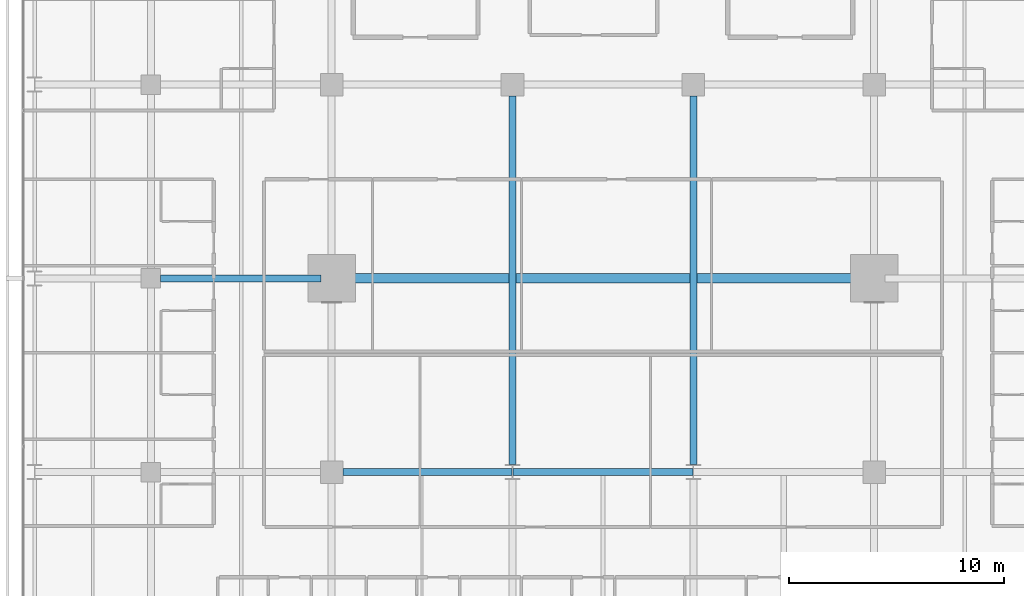
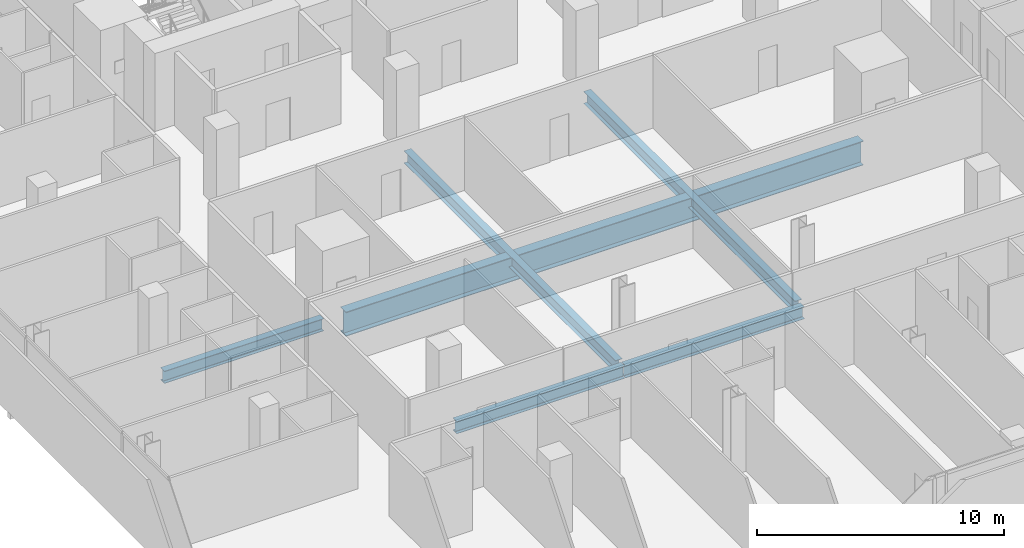
# One storey, part 13 of 40: 6 beams.
"""IFC4 building model written with IfcOpenShell, lengths in metres."""

from ifc_helpers import new_model, si_unit, direction, frame, origin, origin_2d, place, context, subcontext, project, spatial, i_section, extrude, material, material_profile, profile_set, type_object, element, save


model = new_model("IFC4")

# Units and contexts
model_context = context("Model", 3, precision=1e-05, world=origin(), true_north=direction((0.0, 1.0)))
body_context = subcontext(model_context, "Body", "Model", "MODEL_VIEW")
ifc_project = project(units=[si_unit("LENGTHUNIT", "METRE"), si_unit("AREAUNIT", "SQUARE_METRE"), si_unit("VOLUMEUNIT", "CUBIC_METRE"), si_unit("PLANEANGLEUNIT", "RADIAN"), si_unit("MASSUNIT", "GRAM", prefix="KILO")], contexts=[model_context])

# Site, building, storey
site_placement = place(None, origin())
site = spatial("IfcSite", under=ifc_project, at=site_placement, CompositionType="ELEMENT")
building_placement = place(site_placement, origin())
building = spatial("IfcBuilding", under=site, at=building_placement, Name="Maruvema Waterfront Hotel and Observation Tower", CompositionType="ELEMENT")
storey_placement = place(building_placement, frame((0.0, 0.0, 77.0)))
storey = spatial("IfcBuildingStorey", under=building, at=storey_placement, Name="L18", CompositionType="ELEMENT", Elevation=77.0)

# Beams
ifc_material_1 = material(Name="Steel ASTM A572 Grade 50", Category="steel")
ifc_material_profile_1 = material_profile(ifc_material_1, i_section(OverallWidth=0.323974609375, OverallDepth=0.611083984375, WebThickness=0.0126953125, FlangeThickness=0.01904296875, FilletRadius=0.01806640625, at=origin_2d()), Name="W610x155.0")
ifc_profile_set_1 = profile_set([ifc_material_profile_1], Name="Steel ASTM A572 Grade 50")
beam_type_1 = type_object("IfcBeamType", Name="Primary Floor Girder W610x155.0", PredefinedType="BEAM", material=ifc_profile_set_1)
beam_1_placement = place(storey_placement, frame((25.72509765625, 18.0, -0.54541015625), z_axis=(1.0, 0.0, 0.0), x_axis=(0.0, 1.0, 0.0)))
element("IfcBeam", 1, at=beam_1_placement, inside=storey, type_object=beam_type_1, Name="L18 Floor Girder EW-15", PredefinedType="BEAM", context=body_context, shape_type="SweptSolid", body=[
    extrude(i_section(OverallWidth=0.323974609375, OverallDepth=0.611083984375, WebThickness=0.0126953125, FlangeThickness=0.01904296875, FilletRadius=0.01806640625, at=origin_2d()), origin(), (0.0, 0.0, 1.0), 7.86083984375),
])
beam_2_placement = place(storey_placement, frame((33.614013671875, 18.0, -0.54541015625), z_axis=(1.0, 0.0, 0.0), x_axis=(0.0, 1.0, 0.0)))
element("IfcBeam", 2, at=beam_2_placement, inside=storey, type_object=beam_type_1, Name="L18 Floor Girder EW-16", PredefinedType="BEAM", context=body_context, shape_type="SweptSolid", body=[
    extrude(i_section(OverallWidth=0.323974609375, OverallDepth=0.611083984375, WebThickness=0.0126953125, FlangeThickness=0.01904296875, FilletRadius=0.01806640625, at=origin_2d()), origin(), (0.0, 0.0, 1.0), 8.3720703125),
])
beam_3_placement = place(storey_placement, frame((17.25, 27.0, -0.54541015625), z_axis=(1.0, 0.0, 0.0), x_axis=(0.0, 1.0, 0.0)))
element("IfcBeam", 3, at=beam_3_placement, inside=storey, type_object=beam_type_1, Name="L18 Floor Girder EW-21", PredefinedType="BEAM", context=body_context, shape_type="SweptSolid", body=[
    extrude(i_section(OverallWidth=0.323974609375, OverallDepth=0.611083984375, WebThickness=0.0126953125, FlangeThickness=0.01904296875, FilletRadius=0.01806640625, at=origin_2d()), origin(), (0.0, 0.0, 1.0), 7.449951171875),
])
for number, where, z_axis, x_axis, name in (
    (4, (33.60009765625, 18.35009765625, -0.54541015625), (0.0, 1.0, 0.0), (-1.0, 0.0, 0.0), "L18 Floor Girder NS-18"),
    (5, (42.0, 18.35009765625, -0.54541015625), (0.0, 1.0, 0.0), (-1.0, 0.0, 0.0), "L18 Floor Girder NS-21"),
):
    element("IfcBeam", number, at=place(storey_placement, frame(where, z_axis=z_axis, x_axis=x_axis)), inside=storey, type_object=beam_type_1, Name=name, PredefinedType="BEAM", context=body_context, shape_type="SweptSolid", body=[
        extrude(i_section(OverallWidth=0.323974609375, OverallDepth=0.611083984375, WebThickness=0.0126953125, FlangeThickness=0.01904296875, FilletRadius=0.01806640625, at=origin_2d()), origin(), (0.0, 0.0, 1.0), 17.125),
    ])
ifc_material_2 = material(Name="Steel ABNT NBR 7007 AR 415 (ASTM A572 Grade 50)", Category="steel")
ifc_material_profile_2 = material_profile(ifc_material_2, i_section(OverallWidth=0.449951171875, OverallDepth=1.199951171875, WebThickness=0.01904296875, FlangeThickness=0.031982421875, at=origin_2d()), Name="VS1200x366")
ifc_profile_set_2 = profile_set([ifc_material_profile_2], Name="Steel ABNT NBR 7007 AR 415 (ASTM A572 Grade 50)")
beam_type_2 = type_object("IfcBeamType", Name="Upper Setback Transfer Girder VS1200x366", PredefinedType="USERDEFINED", material=ifc_profile_set_2)
beam_4_placement = place(storey_placement, frame((25.699951171875, 27.0, -0.840087890625), z_axis=(1.0, 0.0, 0.0), x_axis=(0.0, 1.0, 0.0)))
element("IfcBeam", 6, at=beam_4_placement, inside=storey, type_object=beam_type_2, Name="L18 Floor Girder EW-22", ObjectType="TRANSFER GIRDER", PredefinedType="USERDEFINED", context=body_context, shape_type="SweptSolid", body=[
    extrude(i_section(OverallWidth=0.449951171875, OverallDepth=1.199951171875, WebThickness=0.01904296875, FlangeThickness=0.031982421875, at=origin_2d()), origin(), (0.0, 0.0, 1.0), 24.199951171875),
])

save(model, "model.ifc")
